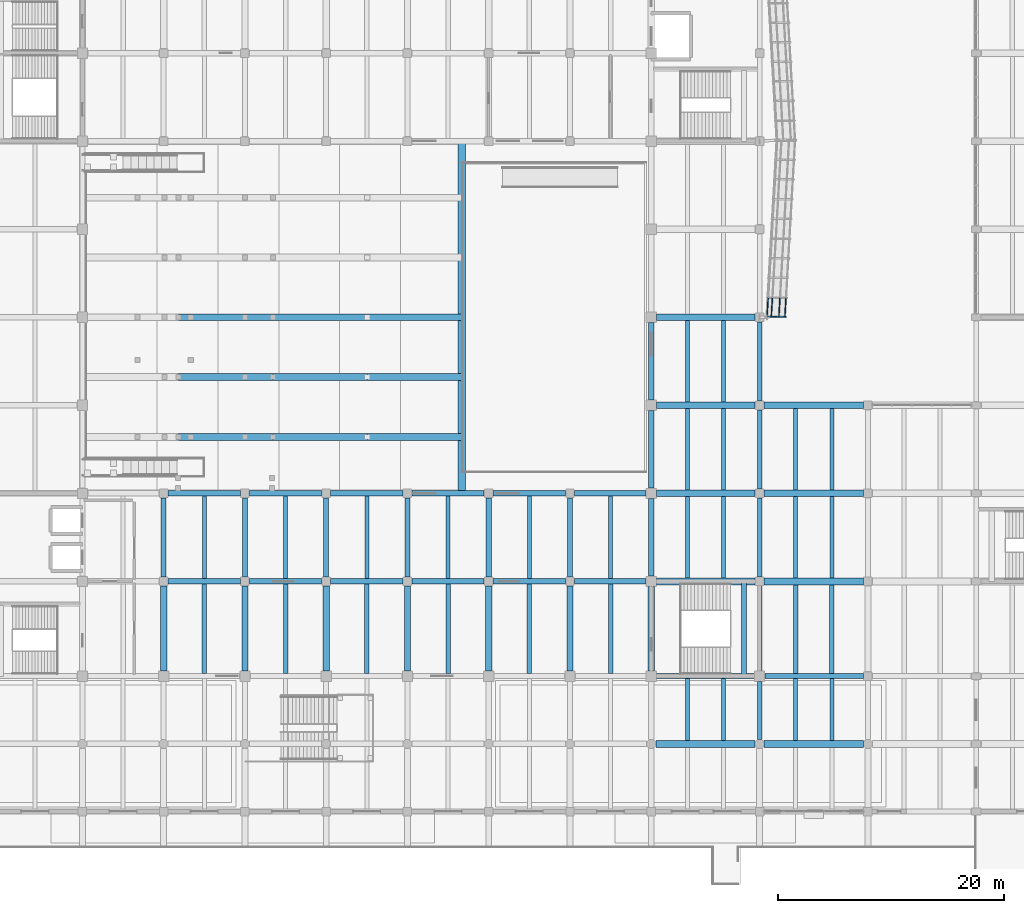
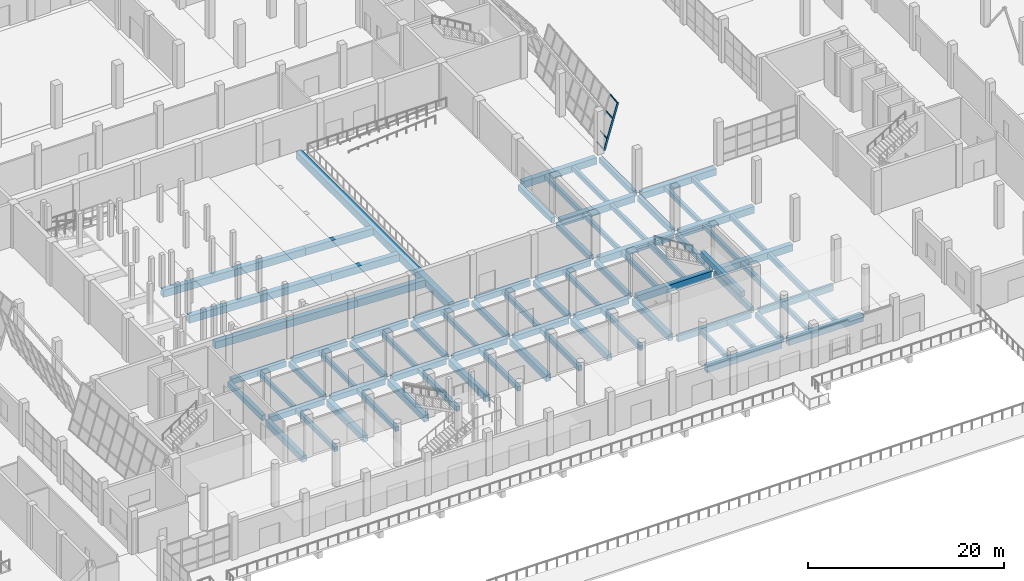
# One storey, part 27 of 78: 83 beams, 5 members, 1 element without a shape of its own.
"""IFC4 building model written with IfcOpenShell, lengths in metres."""

from ifc_helpers import new_model, si_unit, direction, frame, origin, origin_2d, place, context, subcontext, project, spatial, rectangle, hollow_rectangle, extrude, material, material_profile, profile_set, type_object, element, aggregate, save


model = new_model("IFC4")

# Units and contexts
model_context = context("Model", 3, precision=1e-05, world=origin(), true_north=direction((0.0, 1.0)))
body_context = subcontext(model_context, "Body", "Model", "MODEL_VIEW")
ifc_project = project(units=[si_unit("LENGTHUNIT", "METRE"), si_unit("AREAUNIT", "SQUARE_METRE"), si_unit("VOLUMEUNIT", "CUBIC_METRE"), si_unit("PLANEANGLEUNIT", "RADIAN"), si_unit("MASSUNIT", "GRAM", prefix="KILO")], contexts=[model_context])

# Site, building, storey
site_placement = place(None, origin())
site = spatial("IfcSite", under=ifc_project, at=site_placement, CompositionType="ELEMENT")
building_placement = place(site_placement, origin())
building = spatial("IfcBuilding", under=site, at=building_placement, Name="Pellamere Symphony Hall", CompositionType="ELEMENT")
storey_placement = place(building_placement, origin())
storey = spatial("IfcBuildingStorey", under=building, at=storey_placement, Name="L00", CompositionType="ELEMENT", Elevation=0.0)

# Curtain wall, members
ifc_material_1 = material(Name="Thermally Broken Anodised Aluminium 6063-T6 Curtain Wall", Category="aluminium")
curtain_wall_type = type_object("IfcCurtainWallType", Name="Curtain Wall CW-01 (Tilted Faceted Crystal Low-Iron Curtain Wall)", PredefinedType="NOTDEFINED", material=ifc_material_1)
curtain_wall_placement = place(storey_placement, origin())
curtain_wall = element("IfcCurtainWall", 1, at=curtain_wall_placement, inside=storey, type_object=curtain_wall_type, Name="Crystal Faceted Curtain Wall CW-CR08 (L00)", PredefinedType="NOTDEFINED")
ifc_material_2 = material(Name="Anodised Architectural Aluminium 6063-T6", Category="aluminium")
ifc_material_profile_1 = material_profile(ifc_material_2, hollow_rectangle(XDim=0.074951171875, YDim=0.219970703125, WallThickness=0.0048828125, at=origin_2d()), Name="ALU-M75X220X5")
ifc_profile_set_1 = profile_set([ifc_material_profile_1], Name="Anodised Architectural Aluminium 6063-T6")
member_type_1 = type_object("IfcMemberType", Name="Curtain Wall Mullion ML-01 ALU-M75X220X5", PredefinedType="MULLION", material=ifc_profile_set_1)
member_1_placement = place(storey_placement, frame((119.4521484375, 61.83740234375, 0.0), z_axis=(0.284029290042, 0.0, 0.958815603961), x_axis=(-0.054873864247, -0.99836096977, 0.016255247244)))
member_1 = element("IfcMember", 2, at=member_1_placement, type_object=member_type_1, Name="CW1-012 crystal mullion 1", PredefinedType="MULLION", context=body_context, shape_type="SweptSolid", body=[
    extrude(hollow_rectangle(XDim=0.074951171875, YDim=0.219970703125, WallThickness=0.0048828125, at=origin_2d()), origin(), (0.0, 0.0, 1.0), 5.6318359375),
])
ifc_material_profile_2 = material_profile(ifc_material_2, hollow_rectangle(XDim=0.074951171875, YDim=0.179931640625, WallThickness=0.0048828125, at=origin_2d()), Name="ALU-T75X180X5")
ifc_profile_set_2 = profile_set([ifc_material_profile_2], Name="Anodised Architectural Aluminium 6063-T6")
member_type_2 = type_object("IfcMemberType", Name="Curtain Wall Transom TR-01 ALU-T75X180X5", PredefinedType="USERDEFINED", material=ifc_profile_set_2)
member_2_placement = place(storey_placement, frame((119.46484375, 61.874755859375, 0.035888671875), z_axis=(0.057338951729, 0.998354768915, 0.0), x_axis=(-0.998354768915, 0.057338951729, 0.0)))
member_2 = element("IfcMember", 3, at=member_2_placement, type_object=member_type_2, Name="CW1-012 crystal transom 1.1", ObjectType="TRANSOM", PredefinedType="USERDEFINED", context=body_context, shape_type="SweptSolid", body=[
    extrude(hollow_rectangle(XDim=0.074951171875, YDim=0.179931640625, WallThickness=0.0048828125, at=origin_2d()), origin(), (0.0, 0.0, 1.0), 1.635009765625),
])
member_3_placement = place(storey_placement, frame((119.838134765625, 61.874755859375, 1.2958984375), z_axis=(0.057190120561, 0.998363305671, 0.0), x_axis=(-0.998363305671, 0.057190120561, 0.0)))
member_3 = element("IfcMember", 4, at=member_3_placement, type_object=member_type_2, Name="CW1-012 crystal transom 1.2", ObjectType="TRANSOM", PredefinedType="USERDEFINED", context=body_context, shape_type="SweptSolid", body=[
    extrude(hollow_rectangle(XDim=0.074951171875, YDim=0.179931640625, WallThickness=0.0048828125, at=origin_2d()), origin(), (0.0, 0.0, 1.0), 1.635009765625),
])
member_4_placement = place(storey_placement, frame((120.510009765625, 61.874755859375, 3.56396484375), z_axis=(0.057190120561, 0.998363305671, 0.0), x_axis=(-0.998363305671, 0.057190120561, 0.0)))
member_4 = element("IfcMember", 5, at=member_4_placement, type_object=member_type_2, Name="CW1-012 crystal transom 1.3", ObjectType="TRANSOM", PredefinedType="USERDEFINED", context=body_context, shape_type="SweptSolid", body=[
    extrude(hollow_rectangle(XDim=0.074951171875, YDim=0.179931640625, WallThickness=0.0048828125, at=origin_2d()), origin(), (0.0, 0.0, 1.0), 1.635009765625),
])
member_5_placement = place(storey_placement, frame((121.043212890625, 61.874755859375, 5.364013671875), z_axis=(0.057190120561, 0.998363305671, 0.0), x_axis=(-0.998363305671, 0.057190120561, 0.0)))
member_5 = element("IfcMember", 6, at=member_5_placement, type_object=member_type_2, Name="CW1-012 crystal transom 1.4", ObjectType="TRANSOM", PredefinedType="USERDEFINED", context=body_context, shape_type="SweptSolid", body=[
    extrude(hollow_rectangle(XDim=0.074951171875, YDim=0.179931640625, WallThickness=0.0048828125, at=origin_2d()), origin(), (0.0, 0.0, 1.0), 1.635009765625),
])
aggregate(curtain_wall, [member_1, member_2, member_3, member_4, member_5])

# Beams
ifc_material_3 = material(Name="Concrete 40 MPa", Category="concrete")
ifc_material_profile_3 = material_profile(ifc_material_3, rectangle(XDim=0.64990234375, YDim=0.949951171875, at=origin_2d()), Name="RC 650x950")
ifc_profile_set_3 = profile_set([ifc_material_profile_3], Name="Concrete 40 MPa")
beam_type_1 = type_object("IfcBeamType", Name="RC CB-03 650x950", PredefinedType="BEAM", material=ifc_profile_set_3)
beam_1_placement = place(storey_placement, frame((92.39990234375, 46.199951171875, -0.3798828125), z_axis=(0.0, 1.0, 0.0), x_axis=(-1.0, 0.0, 0.0)))
element("IfcBeam", 7, at=beam_1_placement, inside=storey, type_object=beam_type_1, Name="Stand Main Stalls Raker Support Girder 01", PredefinedType="BEAM", context=body_context, shape_type="SweptSolid", body=[
    extrude(rectangle(XDim=0.64990234375, YDim=0.949951171875, at=origin_2d()), origin(), (0.0, 0.0, 1.0), 31.199951171875),
])
ifc_material_profile_4 = material_profile(ifc_material_3, rectangle(XDim=0.60009765625, YDim=0.85009765625, at=origin_2d()), Name="RC 600x850")
ifc_profile_set_4 = profile_set([ifc_material_profile_4], Name="Concrete 40 MPa")
beam_type_2 = type_object("IfcBeamType", Name="RC CB-04 600x850", PredefinedType="BEAM", material=ifc_profile_set_4)
beam_2_placement = place(storey_placement, frame((109.60009765625, 24.0, -0.72509765625), z_axis=(1.0, 0.0, 0.0), x_axis=(0.0, 1.0, 0.0)))
element("IfcBeam", 8, at=beam_2_placement, inside=storey, type_object=beam_type_2, Name="Girder CB-04-X0043 (L00)", PredefinedType="BEAM", context=body_context, shape_type="SweptSolid", body=[
    extrude(rectangle(XDim=0.60009765625, YDim=0.85009765625, at=origin_2d()), origin(), (0.0, 0.0, 1.0), 8.7998046875),
])
beam_3_placement = place(storey_placement, frame((119.199951171875, 24.0, -0.72509765625), z_axis=(1.0, 0.0, 0.0), x_axis=(0.0, 1.0, 0.0)))
element("IfcBeam", 9, at=beam_3_placement, inside=storey, type_object=beam_type_2, Name="Girder CB-04-X0044 (L00)", PredefinedType="BEAM", context=body_context, shape_type="SweptSolid", body=[
    extrude(rectangle(XDim=0.60009765625, YDim=0.85009765625, at=origin_2d()), origin(), (0.0, 0.0, 1.0), 8.800048828125),
])
beam_4_placement = place(storey_placement, frame((109.675048828125, 38.39990234375, -0.72509765625), z_axis=(1.0, 0.0, 0.0), x_axis=(0.0, 1.0, 0.0)))
element("IfcBeam", 10, at=beam_4_placement, inside=storey, type_object=beam_type_2, Name="Girder CB-04-X0082 (L00)", PredefinedType="BEAM", context=body_context, shape_type="SweptSolid", body=[
    extrude(rectangle(XDim=0.60009765625, YDim=0.85009765625, at=origin_2d()), origin(), (0.0, 0.0, 1.0), 8.724853515625),
])
beam_5_placement = place(storey_placement, frame((119.199951171875, 38.39990234375, -0.72509765625), z_axis=(1.0, 0.0, 0.0), x_axis=(0.0, 1.0, 0.0)))
element("IfcBeam", 11, at=beam_5_placement, inside=storey, type_object=beam_type_2, Name="Girder CB-04-X0083 (L00)", PredefinedType="BEAM", context=body_context, shape_type="SweptSolid", body=[
    extrude(rectangle(XDim=0.60009765625, YDim=0.85009765625, at=origin_2d()), origin(), (0.0, 0.0, 1.0), 8.800048828125),
])
beam_6_placement = place(storey_placement, frame((109.675048828125, 46.199951171875, -0.72509765625), z_axis=(1.0, 0.0, 0.0), x_axis=(0.0, 1.0, 0.0)))
element("IfcBeam", 12, at=beam_6_placement, inside=storey, type_object=beam_type_2, Name="Girder CB-04-X0103 (L00)", PredefinedType="BEAM", context=body_context, shape_type="SweptSolid", body=[
    extrude(rectangle(XDim=0.60009765625, YDim=0.85009765625, at=origin_2d()), origin(), (0.0, 0.0, 1.0), 8.724853515625),
])
beam_7_placement = place(storey_placement, frame((119.199951171875, 46.199951171875, -0.72509765625), z_axis=(1.0, 0.0, 0.0), x_axis=(0.0, 1.0, 0.0)))
element("IfcBeam", 13, at=beam_7_placement, inside=storey, type_object=beam_type_2, Name="Girder CB-04-X0104 (L00)", PredefinedType="BEAM", context=body_context, shape_type="SweptSolid", body=[
    extrude(rectangle(XDim=0.60009765625, YDim=0.85009765625, at=origin_2d()), origin(), (0.0, 0.0, 1.0), 8.800048828125),
])
beam_8_placement = place(storey_placement, frame((109.675048828125, 54.0, -0.72509765625), z_axis=(1.0, 0.0, 0.0), x_axis=(0.0, 1.0, 0.0)))
element("IfcBeam", 14, at=beam_8_placement, inside=storey, type_object=beam_type_2, Name="Girder CB-04-X0117 (L00)", PredefinedType="BEAM", context=body_context, shape_type="SweptSolid", body=[
    extrude(rectangle(XDim=0.60009765625, YDim=0.85009765625, at=origin_2d()), origin(), (0.0, 0.0, 1.0), 8.724853515625),
])
beam_9_placement = place(storey_placement, frame((119.199951171875, 54.0, -0.72509765625), z_axis=(1.0, 0.0, 0.0), x_axis=(0.0, 1.0, 0.0)))
element("IfcBeam", 15, at=beam_9_placement, inside=storey, type_object=beam_type_2, Name="Girder CB-04-X0118 (L00)", PredefinedType="BEAM", context=body_context, shape_type="SweptSolid", body=[
    extrude(rectangle(XDim=0.60009765625, YDim=0.85009765625, at=origin_2d()), origin(), (0.0, 0.0, 1.0), 8.800048828125),
])
beam_10_placement = place(storey_placement, frame((109.675048828125, 61.800048828125, -0.72509765625), z_axis=(1.0, 0.0, 0.0), x_axis=(0.0, 1.0, 0.0)))
element("IfcBeam", 16, at=beam_10_placement, inside=storey, type_object=beam_type_2, Name="Girder CB-04-X0125 (L00)", PredefinedType="BEAM", context=body_context, shape_type="SweptSolid", body=[
    extrude(rectangle(XDim=0.60009765625, YDim=0.85009765625, at=origin_2d()), origin(), (0.0, 0.0, 1.0), 8.724853515625),
])
ifc_material_profile_5 = material_profile(ifc_material_3, rectangle(XDim=0.550048828125, YDim=0.800048828125, at=origin_2d()), Name="RC 550x800")
ifc_profile_set_5 = profile_set([ifc_material_profile_5], Name="Concrete 40 MPa")
beam_type_3 = type_object("IfcBeamType", Name="RC CB-05 550x800", PredefinedType="BEAM", material=ifc_profile_set_5)
for number, where, z_axis, x_axis, name in (
    (17, (66.0, 30.47509765625, -0.699951171875), (0.0, 1.0, 0.0), (-1.0, 0.0, 0.0), "Girder CB-05-Y0261 (L00)"),
    (18, (73.199951171875, 30.47509765625, -0.699951171875), (0.0, 1.0, 0.0), (-1.0, 0.0, 0.0), "Girder CB-05-Y0267 (L00)"),
    (19, (80.39990234375, 30.47509765625, -0.699951171875), (0.0, 1.0, 0.0), (-1.0, 0.0, 0.0), "Girder CB-05-Y0273 (L00)"),
    (20, (87.60009765625, 30.47509765625, -0.699951171875), (0.0, 1.0, 0.0), (-1.0, 0.0, 0.0), "Girder CB-05-Y0279 (L00)"),
    (21, (94.800048828125, 30.47509765625, -0.699951171875), (0.0, 1.0, 0.0), (-1.0, 0.0, 0.0), "Girder CB-05-Y0288 (L00)"),
    (22, (102.0, 30.47509765625, -0.699951171875), (0.0, 1.0, 0.0), (-1.0, 0.0, 0.0), "Girder CB-05-Y0297 (L00)"),
):
    element("IfcBeam", number, at=place(storey_placement, frame(where, z_axis=z_axis, x_axis=x_axis)), inside=storey, type_object=beam_type_3, Name=name, PredefinedType="BEAM", context=body_context, shape_type="SweptSolid", body=[
        extrude(rectangle(XDim=0.550048828125, YDim=0.800048828125, at=origin_2d()), origin(), (0.0, 0.0, 1.0), 7.52490234375),
    ])
beam_11_placement = place(storey_placement, frame((109.199951171875, 30.47509765625, -0.699951171875), z_axis=(0.0, 1.0, 0.0), x_axis=(-1.0, 0.0, 0.0)))
element("IfcBeam", 23, at=beam_11_placement, inside=storey, type_object=beam_type_3, Name="Girder CB-05-Y0306 (L00)", PredefinedType="BEAM", context=body_context, shape_type="SweptSolid", body=[
    extrude(rectangle(XDim=0.550048828125, YDim=0.800048828125, at=origin_2d()), origin(), (0.0, 0.0, 1.0), 7.449951171875),
])
ifc_material_profile_6 = material_profile(ifc_material_3, rectangle(XDim=0.5, YDim=0.699951171875, at=origin_2d()), Name="RC 500x700")
ifc_profile_set_6 = profile_set([ifc_material_profile_6], Name="Concrete 40 MPa")
beam_type_4 = type_object("IfcBeamType", Name="RC CB-07 500x700", PredefinedType="BEAM", material=ifc_profile_set_6)
beam_12_placement = place(storey_placement, frame((66.39990234375, 38.39990234375, -0.64990234375), z_axis=(1.0, 0.0, 0.0), x_axis=(0.0, 1.0, 0.0)))
element("IfcBeam", 24, at=beam_12_placement, inside=storey, type_object=beam_type_4, Name="Girder CB-07-X0076 (L00)", PredefinedType="BEAM", context=body_context, shape_type="SweptSolid", body=[
    extrude(rectangle(XDim=0.5, YDim=0.699951171875, at=origin_2d()), origin(), (0.0, 0.0, 1.0), 6.400146484375),
])
for number, where, z_axis, x_axis, name in (
    (25, (73.60009765625, 38.39990234375, -0.64990234375), (1.0, 0.0, 0.0), (0.0, 1.0, 0.0), "Girder CB-07-X0077 (L00)"),
    (26, (80.800048828125, 38.39990234375, -0.64990234375), (1.0, 0.0, 0.0), (0.0, 1.0, 0.0), "Girder CB-07-X0078 (L00)"),
    (27, (88.0, 38.39990234375, -0.64990234375), (1.0, 0.0, 0.0), (0.0, 1.0, 0.0), "Girder CB-07-X0079 (L00)"),
):
    element("IfcBeam", number, at=place(storey_placement, frame(where, z_axis=z_axis, x_axis=x_axis)), inside=storey, type_object=beam_type_4, Name=name, PredefinedType="BEAM", context=body_context, shape_type="SweptSolid", body=[
        extrude(rectangle(XDim=0.5, YDim=0.699951171875, at=origin_2d()), origin(), (0.0, 0.0, 1.0), 6.39990234375),
    ])
beam_13_placement = place(storey_placement, frame((95.199951171875, 38.39990234375, -0.64990234375), z_axis=(1.0, 0.0, 0.0), x_axis=(0.0, 1.0, 0.0)))
element("IfcBeam", 28, at=beam_13_placement, inside=storey, type_object=beam_type_4, Name="Girder CB-07-X0080 (L00)", PredefinedType="BEAM", context=body_context, shape_type="SweptSolid", body=[
    extrude(rectangle(XDim=0.5, YDim=0.699951171875, at=origin_2d()), origin(), (0.0, 0.0, 1.0), 6.400146484375),
])
beam_14_placement = place(storey_placement, frame((102.39990234375, 38.39990234375, -0.64990234375), z_axis=(1.0, 0.0, 0.0), x_axis=(0.0, 1.0, 0.0)))
element("IfcBeam", 29, at=beam_14_placement, inside=storey, type_object=beam_type_4, Name="Girder CB-07-X0081 (L00)", PredefinedType="BEAM", context=body_context, shape_type="SweptSolid", body=[
    extrude(rectangle(XDim=0.5, YDim=0.699951171875, at=origin_2d()), origin(), (0.0, 0.0, 1.0), 6.3251953125),
])
beam_15_placement = place(storey_placement, frame((66.39990234375, 46.199951171875, -0.64990234375), z_axis=(1.0, 0.0, 0.0), x_axis=(0.0, 1.0, 0.0)))
element("IfcBeam", 30, at=beam_15_placement, inside=storey, type_object=beam_type_4, Name="Girder CB-07-X0097 (L00)", PredefinedType="BEAM", context=body_context, shape_type="SweptSolid", body=[
    extrude(rectangle(XDim=0.5, YDim=0.699951171875, at=origin_2d()), origin(), (0.0, 0.0, 1.0), 6.400146484375),
])
for number, where, z_axis, x_axis, name in (
    (31, (73.60009765625, 46.199951171875, -0.64990234375), (1.0, 0.0, 0.0), (0.0, 1.0, 0.0), "Girder CB-07-X0098 (L00)"),
    (32, (80.800048828125, 46.199951171875, -0.64990234375), (1.0, 0.0, 0.0), (0.0, 1.0, 0.0), "Girder CB-07-X0099 (L00)"),
    (33, (88.0, 46.199951171875, -0.64990234375), (1.0, 0.0, 0.0), (0.0, 1.0, 0.0), "Girder CB-07-X0100 (L00)"),
):
    element("IfcBeam", number, at=place(storey_placement, frame(where, z_axis=z_axis, x_axis=x_axis)), inside=storey, type_object=beam_type_4, Name=name, PredefinedType="BEAM", context=body_context, shape_type="SweptSolid", body=[
        extrude(rectangle(XDim=0.5, YDim=0.699951171875, at=origin_2d()), origin(), (0.0, 0.0, 1.0), 6.39990234375),
    ])
beam_16_placement = place(storey_placement, frame((95.199951171875, 46.199951171875, -0.64990234375), z_axis=(1.0, 0.0, 0.0), x_axis=(0.0, 1.0, 0.0)))
element("IfcBeam", 34, at=beam_16_placement, inside=storey, type_object=beam_type_4, Name="Girder CB-07-X0101 (L00)", PredefinedType="BEAM", context=body_context, shape_type="SweptSolid", body=[
    extrude(rectangle(XDim=0.5, YDim=0.699951171875, at=origin_2d()), origin(), (0.0, 0.0, 1.0), 6.400146484375),
])
beam_17_placement = place(storey_placement, frame((102.39990234375, 46.199951171875, -0.64990234375), z_axis=(1.0, 0.0, 0.0), x_axis=(0.0, 1.0, 0.0)))
element("IfcBeam", 35, at=beam_17_placement, inside=storey, type_object=beam_type_4, Name="Girder CB-07-X0102 (L00)", PredefinedType="BEAM", context=body_context, shape_type="SweptSolid", body=[
    extrude(rectangle(XDim=0.5, YDim=0.699951171875, at=origin_2d()), origin(), (0.0, 0.0, 1.0), 6.3251953125),
])
ifc_material_profile_7 = material_profile(ifc_material_3, rectangle(XDim=0.449951171875, YDim=0.64990234375, at=origin_2d()), Name="RC 450x650")
ifc_profile_set_7 = profile_set([ifc_material_profile_7], Name="Concrete 40 MPa")
beam_type_5 = type_object("IfcBeamType", Name="RC CB-08 450x650", PredefinedType="BEAM", material=ifc_profile_set_7)
for number, where, z_axis, x_axis, name in (
    (36, (66.0, 38.800048828125, -0.625), (0.0, 1.0, 0.0), (-1.0, 0.0, 0.0), "Girder CB-08-Y0262 (L00)"),
    (37, (73.199951171875, 38.800048828125, -0.625), (0.0, 1.0, 0.0), (-1.0, 0.0, 0.0), "Girder CB-08-Y0268 (L00)"),
    (38, (80.39990234375, 38.800048828125, -0.625), (0.0, 1.0, 0.0), (-1.0, 0.0, 0.0), "Girder CB-08-Y0274 (L00)"),
    (39, (87.60009765625, 38.800048828125, -0.625), (0.0, 1.0, 0.0), (-1.0, 0.0, 0.0), "Girder CB-08-Y0280 (L00)"),
    (40, (94.800048828125, 38.800048828125, -0.625), (0.0, 1.0, 0.0), (-1.0, 0.0, 0.0), "Girder CB-08-Y0289 (L00)"),
    (41, (102.0, 38.800048828125, -0.625), (0.0, 1.0, 0.0), (-1.0, 0.0, 0.0), "Girder CB-08-Y0298 (L00)"),
):
    element("IfcBeam", number, at=place(storey_placement, frame(where, z_axis=z_axis, x_axis=x_axis)), inside=storey, type_object=beam_type_5, Name=name, PredefinedType="BEAM", context=body_context, shape_type="SweptSolid", body=[
        extrude(rectangle(XDim=0.449951171875, YDim=0.64990234375, at=origin_2d()), origin(), (0.0, 0.0, 1.0), 7.0),
    ])
beam_18_placement = place(storey_placement, frame((109.199951171875, 38.875, -0.625), z_axis=(0.0, 1.0, 0.0), x_axis=(-1.0, 0.0, 0.0)))
element("IfcBeam", 42, at=beam_18_placement, inside=storey, type_object=beam_type_5, Name="Girder CB-08-Y0307 (L00)", PredefinedType="BEAM", context=body_context, shape_type="SweptSolid", body=[
    extrude(rectangle(XDim=0.449951171875, YDim=0.64990234375, at=origin_2d()), origin(), (0.0, 0.0, 1.0), 6.85009765625),
])
for number, where, z_axis, x_axis, name in (
    (43, (109.199951171875, 46.675048828125, -0.625), (0.0, 1.0, 0.0), (-1.0, 0.0, 0.0), "Girder CB-08-Y0308 (L00)"),
    (44, (109.199951171875, 54.47509765625, -0.625), (0.0, 1.0, 0.0), (-1.0, 0.0, 0.0), "Girder CB-08-Y0309 (L00)"),
):
    element("IfcBeam", number, at=place(storey_placement, frame(where, z_axis=z_axis, x_axis=x_axis)), inside=storey, type_object=beam_type_5, Name=name, PredefinedType="BEAM", context=body_context, shape_type="SweptSolid", body=[
        extrude(rectangle(XDim=0.449951171875, YDim=0.64990234375, at=origin_2d()), origin(), (0.0, 0.0, 1.0), 6.849853515625),
    ])
beam_19_placement = place(storey_placement, frame((117.4326171875, 29.97998046875, 2.155029296875), z_axis=(0.0, 1.0, 0.0), x_axis=(-1.0, 0.0, 0.0)))
element("IfcBeam", 45, at=beam_19_placement, inside=storey, type_object=beam_type_5, Name="Stair ST08-L00 Half Landing Support Beam (L00)", PredefinedType="BEAM", context=body_context, shape_type="SweptSolid", body=[
    extrude(rectangle(XDim=0.449951171875, YDim=0.64990234375, at=origin_2d()), origin(), (0.0, 0.0, 1.0), 8.43994140625),
])
ifc_material_profile_8 = material_profile(ifc_material_3, rectangle(XDim=0.39990234375, YDim=0.60009765625, at=origin_2d()), Name="RC 400x600")
ifc_profile_set_8 = profile_set([ifc_material_profile_8], Name="Concrete 40 MPa")
beam_type_6 = type_object("IfcBeamType", Name="RC CB-09 400x600", PredefinedType="BEAM", material=ifc_profile_set_8)
for number, where, z_axis, x_axis, name in (
    (46, (69.60009765625, 30.22509765625, -0.614990234375), (0.0, 1.0, 0.0), (-1.0, 0.0, 0.0), "Secondary Floor Beam CB-09-M0804 (L00)"),
    (47, (76.800048828125, 30.22509765625, -0.614990234375), (0.0, 1.0, 0.0), (-1.0, 0.0, 0.0), "Secondary Floor Beam CB-09-M0904 (L00)"),
    (48, (84.0, 30.22509765625, -0.614990234375), (0.0, 1.0, 0.0), (-1.0, 0.0, 0.0), "Secondary Floor Beam CB-09-M1004 (L00)"),
    (49, (91.199951171875, 30.22509765625, -0.614990234375), (0.0, 1.0, 0.0), (-1.0, 0.0, 0.0), "Secondary Floor Beam CB-09-M1104 (L00)"),
    (50, (98.39990234375, 30.22509765625, -0.614990234375), (0.0, 1.0, 0.0), (-1.0, 0.0, 0.0), "Secondary Floor Beam CB-09-M1204 (L00)"),
    (51, (105.60009765625, 30.22509765625, -0.614990234375), (0.0, 1.0, 0.0), (-1.0, 0.0, 0.0), "Secondary Floor Beam CB-09-M1304 (L00)"),
):
    element("IfcBeam", number, at=place(storey_placement, frame(where, z_axis=z_axis, x_axis=x_axis)), inside=storey, type_object=beam_type_6, Name=name, PredefinedType="BEAM", context=body_context, shape_type="SweptSolid", body=[
        extrude(rectangle(XDim=0.39990234375, YDim=0.60009765625, at=origin_2d()), origin(), (0.0, 0.0, 1.0), 7.9248046875),
    ])
for number, where, z_axis, x_axis, name in (
    (52, (122.0, 30.22509765625, -0.614990234375), (0.0, 1.0, 0.0), (-1.0, 0.0, 0.0), "Secondary Floor Beam CB-09-A1504 (L00)"),
    (53, (125.199951171875, 30.22509765625, -0.614990234375), (0.0, 1.0, 0.0), (-1.0, 0.0, 0.0), "Secondary Floor Beam CB-09-B1504 (L00)"),
):
    element("IfcBeam", number, at=place(storey_placement, frame(where, z_axis=z_axis, x_axis=x_axis)), inside=storey, type_object=beam_type_6, Name=name, PredefinedType="BEAM", context=body_context, shape_type="SweptSolid", body=[
        extrude(rectangle(XDim=0.39990234375, YDim=0.60009765625, at=origin_2d()), origin(), (0.0, 0.0, 1.0), 7.875),
    ])
ifc_material_4 = material(Name="Concrete 35 MPa", Category="concrete")
ifc_material_profile_9 = material_profile(ifc_material_4, rectangle(XDim=0.35009765625, YDim=0.550048828125, at=origin_2d()), Name="RC 350x550")
ifc_profile_set_9 = profile_set([ifc_material_profile_9], Name="Concrete 35 MPa")
beam_type_7 = type_object("IfcBeamType", Name="RC CB-10 350x550", PredefinedType="BEAM", material=ifc_profile_set_9)
for number, where, z_axis, x_axis, name in (
    (54, (69.60009765625, 38.64990234375, -0.590087890625), (0.0, 1.0, 0.0), (-1.0, 0.0, 0.0), "Secondary Floor Beam CB-10-M0805 (L00)"),
    (55, (76.800048828125, 38.64990234375, -0.590087890625), (0.0, 1.0, 0.0), (-1.0, 0.0, 0.0), "Secondary Floor Beam CB-10-M0905 (L00)"),
    (56, (84.0, 38.64990234375, -0.590087890625), (0.0, 1.0, 0.0), (-1.0, 0.0, 0.0), "Secondary Floor Beam CB-10-M1005 (L00)"),
    (57, (91.199951171875, 38.64990234375, -0.590087890625), (0.0, 1.0, 0.0), (-1.0, 0.0, 0.0), "Secondary Floor Beam CB-10-M1105 (L00)"),
    (58, (98.39990234375, 38.64990234375, -0.590087890625), (0.0, 1.0, 0.0), (-1.0, 0.0, 0.0), "Secondary Floor Beam CB-10-M1205 (L00)"),
    (59, (105.60009765625, 38.64990234375, -0.590087890625), (0.0, 1.0, 0.0), (-1.0, 0.0, 0.0), "Secondary Floor Beam CB-10-M1305 (L00)"),
):
    element("IfcBeam", number, at=place(storey_placement, frame(where, z_axis=z_axis, x_axis=x_axis)), inside=storey, type_object=beam_type_7, Name=name, PredefinedType="BEAM", context=body_context, shape_type="SweptSolid", body=[
        extrude(rectangle(XDim=0.35009765625, YDim=0.550048828125, at=origin_2d()), origin(), (0.0, 0.0, 1.0), 7.300048828125),
    ])
for number, where, z_axis, x_axis, name in (
    (60, (112.39990234375, 24.300048828125, -0.590087890625), (0.0, 1.0, 0.0), (-1.0, 0.0, 0.0), "Secondary Floor Beam CB-10-A1403 (L00)"),
    (61, (115.60009765625, 24.300048828125, -0.590087890625), (0.0, 1.0, 0.0), (-1.0, 0.0, 0.0), "Secondary Floor Beam CB-10-B1403 (L00)"),
):
    element("IfcBeam", number, at=place(storey_placement, frame(where, z_axis=z_axis, x_axis=x_axis)), inside=storey, type_object=beam_type_7, Name=name, PredefinedType="BEAM", context=body_context, shape_type="SweptSolid", body=[
        extrude(rectangle(XDim=0.35009765625, YDim=0.550048828125, at=origin_2d()), origin(), (0.0, 0.0, 1.0), 5.474853515625),
    ])
for number, where, z_axis, x_axis, name in (
    (62, (112.39990234375, 38.699951171875, -0.590087890625), (0.0, 1.0, 0.0), (-1.0, 0.0, 0.0), "Secondary Floor Beam CB-10-A1405 (L00)"),
    (63, (115.60009765625, 38.699951171875, -0.590087890625), (0.0, 1.0, 0.0), (-1.0, 0.0, 0.0), "Secondary Floor Beam CB-10-B1405 (L00)"),
    (64, (112.39990234375, 46.5, -0.590087890625), (0.0, 1.0, 0.0), (-1.0, 0.0, 0.0), "Secondary Floor Beam CB-10-A1406 (L00)"),
    (65, (115.60009765625, 46.5, -0.590087890625), (0.0, 1.0, 0.0), (-1.0, 0.0, 0.0), "Secondary Floor Beam CB-10-B1406 (L00)"),
    (66, (112.39990234375, 54.300048828125, -0.590087890625), (0.0, 1.0, 0.0), (-1.0, 0.0, 0.0), "Secondary Floor Beam CB-10-A1407 (L00)"),
    (67, (115.60009765625, 54.300048828125, -0.590087890625), (0.0, 1.0, 0.0), (-1.0, 0.0, 0.0), "Secondary Floor Beam CB-10-B1407 (L00)"),
):
    element("IfcBeam", number, at=place(storey_placement, frame(where, z_axis=z_axis, x_axis=x_axis)), inside=storey, type_object=beam_type_7, Name=name, PredefinedType="BEAM", context=body_context, shape_type="SweptSolid", body=[
        extrude(rectangle(XDim=0.35009765625, YDim=0.550048828125, at=origin_2d()), origin(), (0.0, 0.0, 1.0), 7.199951171875),
    ])
for number, where, z_axis, x_axis, name in (
    (68, (122.0, 24.300048828125, -0.590087890625), (0.0, 1.0, 0.0), (-1.0, 0.0, 0.0), "Secondary Floor Beam CB-10-A1503 (L00)"),
    (69, (125.199951171875, 24.300048828125, -0.590087890625), (0.0, 1.0, 0.0), (-1.0, 0.0, 0.0), "Secondary Floor Beam CB-10-B1503 (L00)"),
):
    element("IfcBeam", number, at=place(storey_placement, frame(where, z_axis=z_axis, x_axis=x_axis)), inside=storey, type_object=beam_type_7, Name=name, PredefinedType="BEAM", context=body_context, shape_type="SweptSolid", body=[
        extrude(rectangle(XDim=0.35009765625, YDim=0.550048828125, at=origin_2d()), origin(), (0.0, 0.0, 1.0), 5.474853515625),
    ])
for number, where, z_axis, x_axis, name in (
    (70, (122.0, 38.699951171875, -0.590087890625), (0.0, 1.0, 0.0), (-1.0, 0.0, 0.0), "Secondary Floor Beam CB-10-A1505 (L00)"),
    (71, (125.199951171875, 38.699951171875, -0.590087890625), (0.0, 1.0, 0.0), (-1.0, 0.0, 0.0), "Secondary Floor Beam CB-10-B1505 (L00)"),
    (72, (122.0, 46.5, -0.590087890625), (0.0, 1.0, 0.0), (-1.0, 0.0, 0.0), "Secondary Floor Beam CB-10-A1506 (L00)"),
    (73, (125.199951171875, 46.5, -0.590087890625), (0.0, 1.0, 0.0), (-1.0, 0.0, 0.0), "Secondary Floor Beam CB-10-B1506 (L00)"),
):
    element("IfcBeam", number, at=place(storey_placement, frame(where, z_axis=z_axis, x_axis=x_axis)), inside=storey, type_object=beam_type_7, Name=name, PredefinedType="BEAM", context=body_context, shape_type="SweptSolid", body=[
        extrude(rectangle(XDim=0.35009765625, YDim=0.550048828125, at=origin_2d()), origin(), (0.0, 0.0, 1.0), 7.199951171875),
    ])
ifc_material_profile_10 = material_profile(ifc_material_3, rectangle(XDim=0.449951171875, YDim=0.75, at=origin_2d()), Name="RC 450x750")
ifc_profile_set_10 = profile_set([ifc_material_profile_10], Name="Concrete 40 MPa")
beam_type_8 = type_object("IfcBeamType", Name="RC CB-12 450x750", PredefinedType="SPANDREL", material=ifc_profile_set_10)
beam_20_placement = place(storey_placement, frame((109.675048828125, 30.0, -0.675048828125), z_axis=(1.0, 0.0, 0.0), x_axis=(0.0, 1.0, 0.0)))
element("IfcBeam", 74, at=beam_20_placement, inside=storey, type_object=beam_type_8, Name="Girder CB-12-X0061 (L00)", PredefinedType="SPANDREL", context=body_context, shape_type="SweptSolid", body=[
    extrude(rectangle(XDim=0.449951171875, YDim=0.75, at=origin_2d()), origin(), (0.0, 0.0, 1.0), 8.64990234375),
])
beam_21_placement = place(storey_placement, frame((119.27490234375, 30.0, -0.675048828125), z_axis=(1.0, 0.0, 0.0), x_axis=(0.0, 1.0, 0.0)))
element("IfcBeam", 75, at=beam_21_placement, inside=storey, type_object=beam_type_8, Name="Girder CB-12-X0062 (L00)", PredefinedType="SPANDREL", context=body_context, shape_type="SweptSolid", body=[
    extrude(rectangle(XDim=0.449951171875, YDim=0.75, at=origin_2d()), origin(), (0.0, 0.0, 1.0), 8.72509765625),
])
ifc_material_profile_11 = material_profile(ifc_material_3, rectangle(XDim=0.39990234375, YDim=0.699951171875, at=origin_2d()), Name="RC 400x700")
ifc_profile_set_11 = profile_set([ifc_material_profile_11], Name="Concrete 40 MPa")
beam_type_9 = type_object("IfcBeamType", Name="RC CB-13 400x700", PredefinedType="SPANDREL", material=ifc_profile_set_11)
beam_22_placement = place(storey_placement, frame((118.800048828125, 24.39990234375, -0.64990234375), z_axis=(0.0, 1.0, 0.0), x_axis=(-1.0, 0.0, 0.0)))
element("IfcBeam", 76, at=beam_22_placement, inside=storey, type_object=beam_type_9, Name="Girder CB-13-Y0318 (L00)", PredefinedType="SPANDREL", context=body_context, shape_type="SweptSolid", body=[
    extrude(rectangle(XDim=0.39990234375, YDim=0.699951171875, at=origin_2d()), origin(), (0.0, 0.0, 1.0), 5.125),
])
beam_23_placement = place(storey_placement, frame((118.800048828125, 30.47509765625, -0.64990234375), z_axis=(0.0, 1.0, 0.0), x_axis=(-1.0, 0.0, 0.0)))
element("IfcBeam", 77, at=beam_23_placement, inside=storey, type_object=beam_type_9, Name="Girder CB-13-Y0319 (L00)", PredefinedType="SPANDREL", context=body_context, shape_type="SweptSolid", body=[
    extrude(rectangle(XDim=0.39990234375, YDim=0.699951171875, at=origin_2d()), origin(), (0.0, 0.0, 1.0), 7.52490234375),
])
for number, where, z_axis, x_axis, name in (
    (78, (118.800048828125, 38.800048828125, -0.64990234375), (0.0, 1.0, 0.0), (-1.0, 0.0, 0.0), "Girder CB-13-Y0320 (L00)"),
    (79, (118.800048828125, 46.60009765625, -0.64990234375), (0.0, 1.0, 0.0), (-1.0, 0.0, 0.0), "Girder CB-13-Y0321 (L00)"),
    (80, (118.800048828125, 54.39990234375, -0.64990234375), (0.0, 1.0, 0.0), (-1.0, 0.0, 0.0), "Girder CB-13-Y0322 (L00)"),
):
    element("IfcBeam", number, at=place(storey_placement, frame(where, z_axis=z_axis, x_axis=x_axis)), inside=storey, type_object=beam_type_9, Name=name, PredefinedType="SPANDREL", context=body_context, shape_type="SweptSolid", body=[
        extrude(rectangle(XDim=0.39990234375, YDim=0.699951171875, at=origin_2d()), origin(), (0.0, 0.0, 1.0), 7.0),
    ])
ifc_material_profile_12 = material_profile(ifc_material_3, rectangle(XDim=0.60009765625, YDim=0.89990234375, at=origin_2d()), Name="RC 600x900")
ifc_profile_set_12 = profile_set([ifc_material_profile_12], Name="Concrete 40 MPa")
beam_type_10 = type_object("IfcBeamType", Name="RC RK-01 600x900", PredefinedType="BEAM", material=ifc_profile_set_12)
beam_24_placement = place(storey_placement, frame((92.39990234375, 51.199951171875, -0.3798828125), z_axis=(-0.999302469042, 0.0, 0.037344013791), x_axis=(0.0, -1.0, 0.0)))
element("IfcBeam", 81, at=beam_24_placement, inside=storey, type_object=beam_type_10, Name="Stand Main Stalls Raker Beam RK-01-002", PredefinedType="BEAM", context=body_context, shape_type="SweptSolid", body=[
    extrude(rectangle(XDim=0.60009765625, YDim=0.89990234375, at=origin_2d()), origin(), (0.0, 0.0, 1.0), 8.3681640625),
])
for number, where, z_axis, x_axis, name in (
    (82, (84.03759765625, 51.199951171875, -0.0673828125), (-0.999302509727, 0.0, 0.037342925071), (0.0, -1.0, 0.0), "Stand Main Stalls Raker Beam RK-01-003"),
    (83, (75.675048828125, 51.199951171875, 0.2451171875), (-0.999302509727, 0.0, 0.037342925071), (0.0, -1.0, 0.0), "Stand Main Stalls Raker Beam RK-01-004"),
):
    element("IfcBeam", number, at=place(storey_placement, frame(where, z_axis=z_axis, x_axis=x_axis)), inside=storey, type_object=beam_type_10, Name=name, PredefinedType="BEAM", context=body_context, shape_type="SweptSolid", body=[
        extrude(rectangle(XDim=0.60009765625, YDim=0.89990234375, at=origin_2d()), origin(), (0.0, 0.0, 1.0), 8.368408203125),
    ])
beam_25_placement = place(storey_placement, frame((92.39990234375, 56.5, -0.3798828125), z_axis=(-0.999302469042, 0.0, 0.037344013791), x_axis=(0.0, -1.0, 0.0)))
element("IfcBeam", 84, at=beam_25_placement, inside=storey, type_object=beam_type_10, Name="Stand Main Stalls Raker Beam RK-01-006", PredefinedType="BEAM", context=body_context, shape_type="SweptSolid", body=[
    extrude(rectangle(XDim=0.60009765625, YDim=0.89990234375, at=origin_2d()), origin(), (0.0, 0.0, 1.0), 8.3681640625),
])
for number, where, z_axis, x_axis, name in (
    (85, (84.03759765625, 56.5, -0.0673828125), (-0.999302509727, 0.0, 0.037342925071), (0.0, -1.0, 0.0), "Stand Main Stalls Raker Beam RK-01-007"),
    (86, (75.675048828125, 56.5, 0.2451171875), (-0.999302509727, 0.0, 0.037342925071), (0.0, -1.0, 0.0), "Stand Main Stalls Raker Beam RK-01-008"),
):
    element("IfcBeam", number, at=place(storey_placement, frame(where, z_axis=z_axis, x_axis=x_axis)), inside=storey, type_object=beam_type_10, Name=name, PredefinedType="BEAM", context=body_context, shape_type="SweptSolid", body=[
        extrude(rectangle(XDim=0.60009765625, YDim=0.89990234375, at=origin_2d()), origin(), (0.0, 0.0, 1.0), 8.368408203125),
    ])
beam_26_placement = place(storey_placement, frame((92.39990234375, 61.800048828125, -0.3798828125), z_axis=(-0.999302469042, 0.0, 0.037344013791), x_axis=(0.0, -1.0, 0.0)))
element("IfcBeam", 87, at=beam_26_placement, inside=storey, type_object=beam_type_10, Name="Stand Main Stalls Raker Beam RK-01-010", PredefinedType="BEAM", context=body_context, shape_type="SweptSolid", body=[
    extrude(rectangle(XDim=0.60009765625, YDim=0.89990234375, at=origin_2d()), origin(), (0.0, 0.0, 1.0), 8.3681640625),
])
for number, where, z_axis, x_axis, name in (
    (88, (84.03759765625, 61.800048828125, -0.0673828125), (-0.999302509727, 0.0, 0.037342925071), (0.0, -1.0, 0.0), "Stand Main Stalls Raker Beam RK-01-011"),
    (89, (75.675048828125, 61.800048828125, 0.2451171875), (-0.999302509727, 0.0, 0.037342925071), (0.0, -1.0, 0.0), "Stand Main Stalls Raker Beam RK-01-012"),
):
    element("IfcBeam", number, at=place(storey_placement, frame(where, z_axis=z_axis, x_axis=x_axis)), inside=storey, type_object=beam_type_10, Name=name, PredefinedType="BEAM", context=body_context, shape_type="SweptSolid", body=[
        extrude(rectangle(XDim=0.60009765625, YDim=0.89990234375, at=origin_2d()), origin(), (0.0, 0.0, 1.0), 8.368408203125),
    ])

save(model, "model.ifc")
